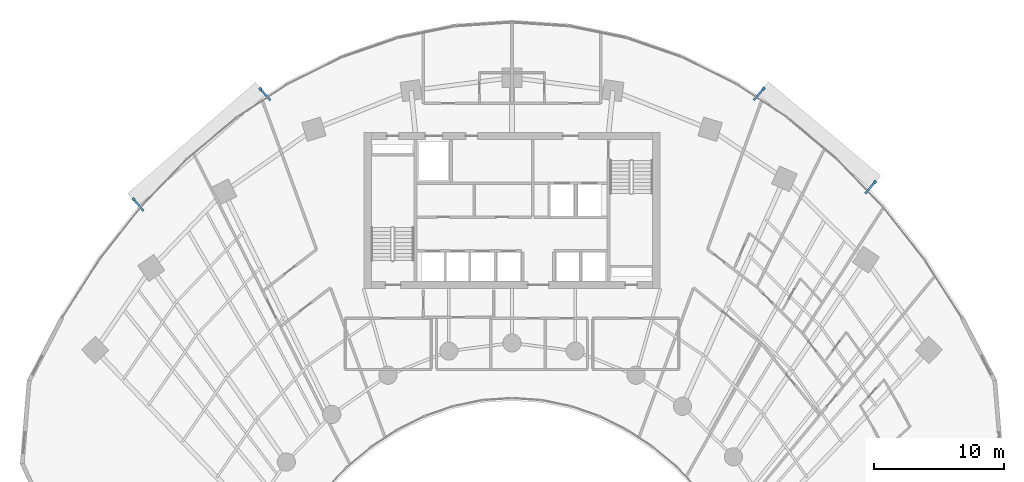
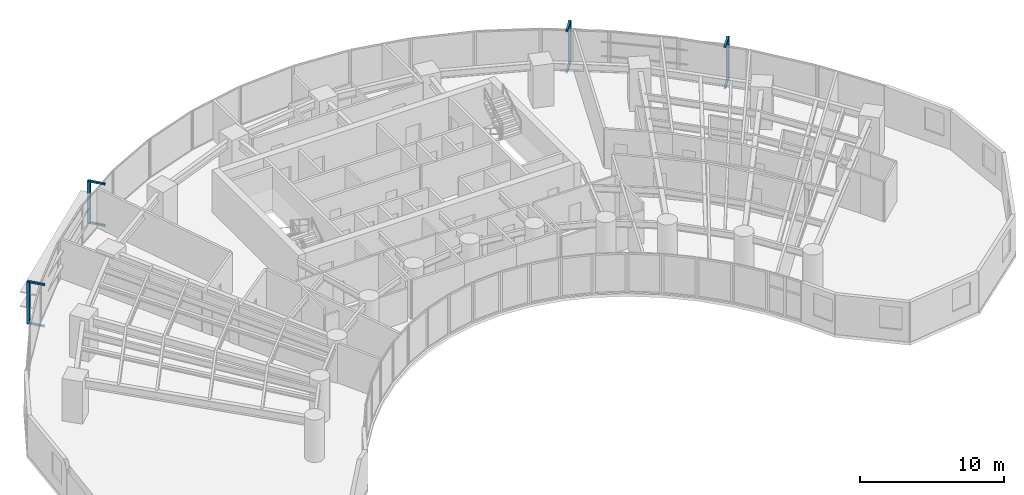
# One storey, part 15 of 17: 12 discrete accessories.
"""IFC4 building model written with IfcOpenShell, lengths in metres."""

from ifc_helpers import new_model, si_unit, direction, frame, origin, origin_2d, place, context, subcontext, project, spatial, rectangle, extrude, source, transform, mapped, material, type_object, type_shapes, element, save


model = new_model("IFC4")

# Units and contexts
model_context = context("Model", 3, precision=1e-05, world=origin(), true_north=direction((0.0, 1.0)))
body_context = subcontext(model_context, "Body", "Model", "MODEL_VIEW")
ifc_project = project(units=[si_unit("LENGTHUNIT", "METRE"), si_unit("AREAUNIT", "SQUARE_METRE"), si_unit("VOLUMEUNIT", "CUBIC_METRE"), si_unit("PLANEANGLEUNIT", "RADIAN"), si_unit("MASSUNIT", "GRAM", prefix="KILO")], contexts=[model_context])

# Site, building, storey
site_placement = place(None, origin())
site = spatial("IfcSite", under=ifc_project, at=site_placement, CompositionType="ELEMENT")
building_placement = place(site_placement, origin())
building = spatial("IfcBuilding", under=site, at=building_placement, Name="Breltana Convention Tower", CompositionType="ELEMENT")
storey_placement = place(building_placement, frame((0.0, 0.0, 57.0)))
storey = spatial("IfcBuildingStorey", under=building, at=storey_placement, Name="L12", CompositionType="ELEMENT", Elevation=57.0)

# Discrete accessories
ifc_material = material(Name="Steel S355", Category="steel")
discrete_accessory_type_1 = type_object("IfcDiscreteAccessoryType", Name="ACC-DSF-BRACKET-150", PredefinedType="BRACKET", material=ifc_material)
shared_shape_1 = source(origin(), body_context, "Body", "SweptSolid", [
    extrude(rectangle(XDim=1.239990234375, YDim=0.14990234375, at=origin_2d()), origin(), (0.0, 0.0, 1.0), 0.139892578125),
])
type_shapes(discrete_accessory_type_1, [shared_shape_1])
for number, where, z_axis, x_axis, name in (
    (1, (19.310791015625, 66.643798828125, -0.16015625), (0.0, 0.0, 1.0), (-0.656456838663, 0.754363585397, 0.0), "L12 double-skin slab stand-off bracket 1.1B"),
    (2, (19.310791015625, 66.643798828125, 3.35986328125), (0.0, 0.0, 1.0), (-0.656456838663, 0.754363585397, 0.0), "L12 double-skin slab stand-off bracket 1.1T"),
    (3, (29.052978515625, 75.121337890625, -0.16015625), (0.0, 0.0, 1.0), (-0.656456838663, 0.754363585397, 0.0), "L12 double-skin slab stand-off bracket 1.2B"),
    (4, (29.052978515625, 75.121337890625, 3.35986328125), (0.0, 0.0, 1.0), (-0.656456838663, 0.754363585397, 0.0), "L12 double-skin slab stand-off bracket 1.2T"),
    (5, (66.954833984375, 75.1435546875, -0.16015625), (0.0, 0.0, 1.0), (0.641990162706, 0.76671287389, 0.0), "L12 double-skin slab stand-off bracket 2.1B"),
    (6, (66.954833984375, 75.1435546875, 3.35986328125), (0.0, 0.0, 1.0), (0.641990162706, 0.76671287389, 0.0), "L12 double-skin slab stand-off bracket 2.1T"),
    (7, (75.516357421875, 67.974853515625, -0.16015625), (0.0, 0.0, 1.0), (0.641990162706, 0.76671287389, 0.0), "L12 double-skin slab stand-off bracket 2.2B"),
    (8, (75.516357421875, 67.974853515625, 3.35986328125), (0.0, 0.0, 1.0), (0.641990162706, 0.76671287389, 0.0), "L12 double-skin slab stand-off bracket 2.2T"),
):
    element("IfcDiscreteAccessory", number, at=place(storey_placement, frame(where, z_axis=z_axis, x_axis=x_axis)), inside=storey, type_object=discrete_accessory_type_1, Name=name, PredefinedType="BRACKET", context=body_context, shape_type="MappedRepresentation", body=[
        mapped(shared_shape_1, transform((0.0, 0.0, 0.0), scale=1.0)),
    ])
discrete_accessory_type_2 = type_object("IfcDiscreteAccessoryType", Name="ACC-DSF-CARRIER-150", PredefinedType="BRACKET", material=ifc_material)
shared_shape_2 = source(origin(), body_context, "Body", "SweptSolid", [
    extrude(rectangle(XDim=0.219970703125, YDim=0.219970703125, at=origin_2d()), origin(), (0.0, 0.0, 1.0), 3.580078125),
])
for number, where, z_axis, x_axis, name in (
    (9, (18.943115234375, 67.066162109375, -0.1201171875), (0.0, 0.0, 1.0), (-0.656456838663, 0.754363585397, 0.0), "L12 double-skin outer vertical carrier 1.1"),
    (10, (28.685302734375, 75.5439453125, -0.1201171875), (0.0, 0.0, 1.0), (-0.656456838663, 0.754363585397, 0.0), "L12 double-skin outer vertical carrier 1.2"),
    (11, (67.314453125, 75.57275390625, -0.1201171875), (0.0, 0.0, 1.0), (0.641990162706, 0.76671287389, 0.0), "L12 double-skin outer vertical carrier 2.1"),
    (12, (75.875732421875, 68.404052734375, -0.1201171875), (0.0, 0.0, 1.0), (0.641990162706, 0.76671287389, 0.0), "L12 double-skin outer vertical carrier 2.2"),
):
    element("IfcDiscreteAccessory", number, at=place(storey_placement, frame(where, z_axis=z_axis, x_axis=x_axis)), inside=storey, type_object=discrete_accessory_type_2, Name=name, PredefinedType="BRACKET", context=body_context, shape_type="MappedRepresentation", body=[
        mapped(shared_shape_2, transform((0.0, 0.0, 0.0), scale=1.0)),
    ])

save(model, "model.ifc")
